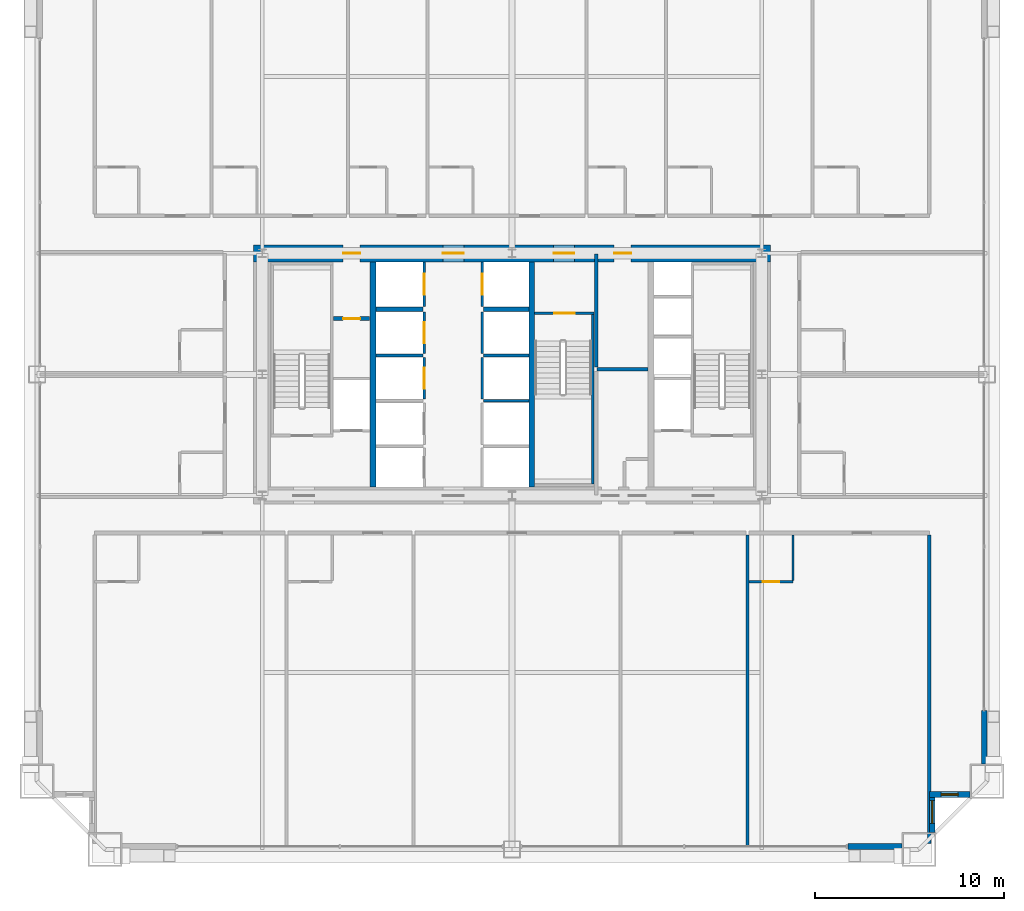
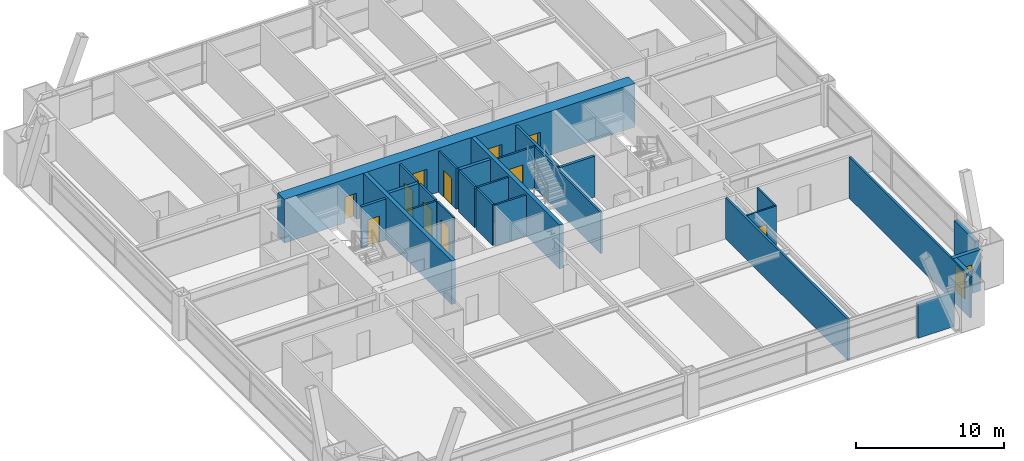
# One storey, part 40 of 43: 27 walls, 11 doors, 2 windows, 13 openings.
"""IFC4 building model written with IfcOpenShell, lengths in metres."""

import ifcopenshell
import ifcopenshell.guid

model = None  # the IFC model being written
_history = None  # IfcOwnerHistory: only IFC2X3 demands one
_inside = {}  # id of a spatial element -> (the spatial element, [elements in it])
_under = {}  # id of a project, library or spatial element -> (it, [spatial elements below it])
_declared = {}  # id of a project -> (the project, [libraries it declares])
_typed = {}  # id of a type object -> (the type object, [elements of that type])
_made_of = {}  # id of a material, layer set ... -> (it, [elements and type objects made of it])


def new_model(schema):
    """Start an empty IFC model of exactly this schema.

    Asked for "IFC4X3", IfcOpenShell would pick the latest addendum, in which some entities
    have other attributes; the version numbers below select the first issue.
    IFC2X3 requires an IfcOwnerHistory on every rooted entity: one is made here for all.
    """
    global model, _history
    if schema == "IFC4X3":
        model = ifcopenshell.file(schema_version=(4, 3, 0, 0))
    else:
        model = ifcopenshell.file(schema=schema)
    _inside.clear()
    _under.clear()
    _declared.clear()
    _typed.clear()
    _made_of.clear()
    _history = None
    if model.schema == "IFC2X3":
        org = make("IfcOrganization", Name="unknown")
        user = make(
            "IfcPersonAndOrganization",
            ThePerson=make("IfcPerson", FamilyName="unknown"),
            TheOrganization=org,
        )
        app = make(
            "IfcApplication",
            ApplicationDeveloper=org,
            Version="unknown",
            ApplicationFullName="unknown",
            ApplicationIdentifier="unknown",
        )
        _history = make(
            "IfcOwnerHistory",
            OwningUser=user,
            OwningApplication=app,
            ChangeAction="ADDED",
            CreationDate=0,
        )
    return model


def make(cls, **values):
    """One entity of the class cls with the attributes given. An attribute that is None is left unset."""
    return model.create_entity(
        cls, **{name: value for name, value in values.items() if value is not None}
    )


def rooted(cls, **values):
    """An entity with a GlobalId (a new one), such as an element, a storey or a relation."""
    return make(cls, GlobalId=ifcopenshell.guid.new(), OwnerHistory=_history, **values)


def si_unit(unit_type, name, prefix=None):
    """IfcSIUnit, for example si_unit("LENGTHUNIT", "METRE", prefix="MILLI")."""
    return make("IfcSIUnit", UnitType=unit_type, Prefix=prefix, Name=name)


def assignment(units):
    """IfcUnitAssignment: the units of a project."""
    return None if units is None else make("IfcUnitAssignment", Units=units)


def point(xyz):
    """IfcCartesianPoint."""
    return None if xyz is None else make("IfcCartesianPoint", Coordinates=xyz)


def direction(xyz):
    """IfcDirection."""
    return None if xyz is None else make("IfcDirection", DirectionRatios=xyz)


def frame(location, z_axis=None, x_axis=None):
    """IfcAxis2Placement3D, a coordinate frame: its origin and axes. An axis left out is left unset."""
    return make(
        "IfcAxis2Placement3D",
        Location=point(location),
        Axis=direction(z_axis),
        RefDirection=direction(x_axis),
    )


def frame_2d(location, x_axis=None):
    """IfcAxis2Placement2D, a coordinate frame in the plane: its origin and x axis."""
    return make(
        "IfcAxis2Placement2D", Location=point(location), RefDirection=direction(x_axis)
    )


def origin():
    """The frame at (0, 0, 0) with its axes left unset."""
    return frame((0.0, 0.0, 0.0))


def place(relative_to, where):
    """IfcLocalPlacement: puts the frame where relative to a parent placement (None: the world)."""
    return make(
        "IfcLocalPlacement", PlacementRelTo=relative_to, RelativePlacement=where
    )


def context(
    kind, dimensions, precision=None, world=None, true_north=None, identifier=None
):
    """IfcGeometricRepresentationContext, for example the 3D "Model" context."""
    return make(
        "IfcGeometricRepresentationContext",
        ContextIdentifier=identifier,
        ContextType=kind,
        CoordinateSpaceDimension=dimensions,
        Precision=precision,
        WorldCoordinateSystem=world,
        TrueNorth=true_north,
    )


def subcontext(parent, identifier, kind, view, scale=None):
    """IfcGeometricRepresentationSubContext, for example "Body" below "Model"."""
    return make(
        "IfcGeometricRepresentationSubContext",
        ContextIdentifier=identifier,
        ContextType=kind,
        ParentContext=parent,
        TargetScale=scale,
        TargetView=view,
    )


def project(units=None, contexts=None):
    """IfcProject with its units and contexts."""
    return rooted(
        "IfcProject",
        Name="project",
        RepresentationContexts=contexts,
        UnitsInContext=assignment(units),
    )


def spatial(cls, under=None, at=None, **own):
    """A site, building, storey or space (cls), placed at a placement, below another one or the project."""
    s = rooted(cls, ObjectPlacement=at, **own)
    if under is not None:
        _under.setdefault(under.id(), (under, []))[1].append(s)
    return s


def profile(cls, at=None, kind="AREA", **sizes):
    """A parametric profile (cls). Its sizes go by their IFC names, for example OverallWidth=200.0."""
    return make(cls, ProfileType=kind, Position=at, **sizes)


def rectangle(**sizes):
    """IfcRectangleProfileDef."""
    return profile("IfcRectangleProfileDef", **sizes)


def extrude(swept, where, along, depth):
    """IfcExtrudedAreaSolid: the profile swept, set in the frame where, extruded along a direction by depth."""
    return make(
        "IfcExtrudedAreaSolid",
        SweptArea=swept,
        Position=where,
        ExtrudedDirection=direction(along),
        Depth=depth,
    )


def shape(context_of_items, identifier, shape_type, items):
    """IfcShapeRepresentation: the items that make up one representation, for example the "Body"."""
    return make(
        "IfcShapeRepresentation",
        ContextOfItems=context_of_items,
        RepresentationIdentifier=identifier,
        RepresentationType=shape_type,
        Items=items,
    )


def source(mapping_origin, context_of_items, identifier, shape_type, items):
    """IfcRepresentationMap: a shape defined once, which mapped items show again and again."""
    return make(
        "IfcRepresentationMap",
        MappingOrigin=mapping_origin,
        MappedRepresentation=shape(context_of_items, identifier, shape_type, items),
    )


def transform(
    local_origin,
    x_axis=None,
    y_axis=None,
    z_axis=None,
    scale=None,
    scale2=None,
    scale3=None,
    uniform=True,
):
    """IfcCartesianTransformationOperator3D, or its non-uniform kind. x_axis, y_axis, z_axis: its Axis1, 2, 3."""
    if uniform:
        return make(
            "IfcCartesianTransformationOperator3D",
            Axis1=direction(x_axis),
            Axis2=direction(y_axis),
            LocalOrigin=point(local_origin),
            Scale=scale,
            Axis3=direction(z_axis),
        )
    return make(
        "IfcCartesianTransformationOperator3DnonUniform",
        Axis1=direction(x_axis),
        Axis2=direction(y_axis),
        LocalOrigin=point(local_origin),
        Scale=scale,
        Axis3=direction(z_axis),
        Scale2=scale2,
        Scale3=scale3,
    )


def mapped(mapping_source, mapping_target):
    """IfcMappedItem: shows the shape of a source again, moved by a transform."""
    return make(
        "IfcMappedItem", MappingSource=mapping_source, MappingTarget=mapping_target
    )


def material(Name=None, Category=None):
    """IfcMaterial."""
    return make("IfcMaterial", Name=Name, Category=Category)


def layer(
    of_material, thickness, ventilated=None, Name=None, Category=None, Priority=None
):
    """IfcMaterialLayer: one layer of a wall or slab, of a material (None: an air gap)."""
    return make(
        "IfcMaterialLayer",
        Material=of_material,
        LayerThickness=thickness,
        IsVentilated=ventilated,
        Name=Name,
        Category=Category,
        Priority=Priority,
    )


def layer_set(layers, Name=None):
    """IfcMaterialLayerSet."""
    return make("IfcMaterialLayerSet", MaterialLayers=layers, LayerSetName=Name)


def made_of(thing, what):
    """Note that an element or type object is made of a material, layer set ...; save() writes the relation."""
    if what is not None:
        _made_of.setdefault(what.id(), (what, []))[1].append(thing)
    return thing


def type_object(cls, material=None, **own):
    """A type object (cls), such as IfcWallType, which elements share."""
    return made_of(rooted(cls, **own), material)


def element(
    cls,
    number,
    at=None,
    inside=None,
    cuts=None,
    type_object=None,
    material=None,
    context=None,
    identifier="Body",
    shape_type=None,
    held_by="IfcProductDefinitionShape",
    body=None,
    shapes=None,
    **own,
):
    """One element of the class cls, such as IfcWall. Its Tag is "e" and its number.

    at: its placement. inside: the storey or other place that contains it. cuts: it is an
    opening in that element (IfcRelVoidsElement). A single representation is given by context,
    identifier, shape_type and body (its items); several are given by shapes. held_by: the class
    of the entity that holds the representations. save() writes the other relations.
    """
    e = rooted(cls, Tag="e%d" % number, ObjectPlacement=at, **own)
    if body is not None:
        shapes = [shape(context, identifier, shape_type, body)]
    if shapes is not None:
        e.Representation = make(held_by, Representations=shapes)
    if inside is not None:
        _inside.setdefault(inside.id(), (inside, []))[1].append(e)
    if cuts is not None:
        rooted(
            "IfcRelVoidsElement", RelatingBuildingElement=cuts, RelatedOpeningElement=e
        )
    if type_object is not None:
        _typed.setdefault(type_object.id(), (type_object, []))[1].append(e)
    return made_of(e, material)


def fill(opening, filler):
    """IfcRelFillsElement: the door or window that sits in an opening."""
    return rooted(
        "IfcRelFillsElement",
        RelatingOpeningElement=opening,
        RelatedBuildingElement=filler,
    )


def aggregate(whole, parts):
    """IfcRelAggregates: a whole, such as a stair, and the parts it consists of."""
    return rooted("IfcRelAggregates", RelatingObject=whole, RelatedObjects=parts)


def save(model, path):
    """Write the relations noted so far, then the file.

    IfcRelAggregates (storeys below a building ...), IfcRelContainedInSpatialStructure (elements
    in a storey), IfcRelDefinesByType, IfcRelAssociatesMaterial and IfcRelDeclares: one each for
    every whole, place, type object, material and project.
    """
    for whole, parts in _under.values():
        aggregate(whole, parts)
    for where, things in _inside.values():
        rooted(
            "IfcRelContainedInSpatialStructure",
            RelatedElements=things,
            RelatingStructure=where,
        )
    for kind, things in _typed.values():
        rooted("IfcRelDefinesByType", RelatedObjects=things, RelatingType=kind)
    for what, things in _made_of.values():
        rooted("IfcRelAssociatesMaterial", RelatedObjects=things, RelatingMaterial=what)
    for by, libraries in _declared.values():
        rooted("IfcRelDeclares", RelatingContext=by, RelatedDefinitions=libraries)
    model.write(path)


model = new_model("IFC4")

# Units and contexts
model_context = context("Model", 3, precision=1e-05, world=origin(), true_north=direction((0.0, 1.0)))
body_context = subcontext(model_context, "Body", "Model", "MODEL_VIEW")
ifc_project = project(units=[si_unit("LENGTHUNIT", "METRE"), si_unit("AREAUNIT", "SQUARE_METRE"), si_unit("VOLUMEUNIT", "CUBIC_METRE"), si_unit("PLANEANGLEUNIT", "RADIAN"), si_unit("MASSUNIT", "GRAM", prefix="KILO"), si_unit("THERMODYNAMICTEMPERATUREUNIT", "KELVIN"), si_unit("POWERUNIT", "WATT")], contexts=[model_context])

# Site, building, storey
site_placement = place(None, origin())
site = spatial("IfcSite", under=ifc_project, at=site_placement, CompositionType="ELEMENT")
building_placement = place(site_placement, origin())
building = spatial("IfcBuilding", under=site, at=building_placement, Name="Yuzanri Waterfront Tower", CompositionType="ELEMENT")
storey_placement = place(building_placement, frame((0.0, 0.0, 46.0)))
storey = spatial("IfcBuildingStorey", under=building, at=storey_placement, Name="L11", CompositionType="ELEMENT", Elevation=46.0)

# Wall, opening, door
ifc_material_1 = material(Name="Moisture-Resistant Gypsum Stud Wall", Category="gypsum")
ifc_layer_1 = layer(ifc_material_1, 0.1201171875)
ifc_layer_set_1 = layer_set([ifc_layer_1], Name="Moisture-Resistant Gypsum Stud Wall")
wall_type_1 = type_object("IfcWallType", Name="Bathroom and Kitchen Wet Partition 120", PredefinedType="PARTITIONING", material=ifc_layer_set_1)
wall_1_placement = place(storey_placement, frame((49.52197265625, 14.840087890625, 0.0), z_axis=(0.0, 0.0, 1.0), x_axis=(1.0, 0.0, 0.0)))
wall_1 = element("IfcWall", 1, at=wall_1_placement, inside=storey, type_object=wall_type_1, Name="L11 Partition UW-L11-S5-BS", PredefinedType="PARTITIONING", context=body_context, shape_type="SweptSolid", body=[
    extrude(rectangle(XDim=2.330078125, YDim=0.1201171875, at=frame_2d((1.1650390625, 0.0))), origin(), (0.0, 0.0, 1.0), 3.3798828125),
])
opening_1_placement = place(wall_1_placement, frame((0.739990234375, 0.0, 0.0)))
opening_1 = element("IfcOpeningElement", 2, at=opening_1_placement, cuts=wall_1, Name="Opening ID-0850", PredefinedType="OPENING", context=body_context, shape_type="SweptSolid", body=[
    extrude(rectangle(XDim=0.85009765625, YDim=2.10009765625, at=frame_2d((0.425048828125, 1.050048828125))), frame((0.0, 0.074951171875, 0.0), z_axis=(0.0, -1.0, 0.0), x_axis=(1.0, 0.0, 0.0)), (0.0, 0.0, 1.0), 0.14990234375),
])
ifc_material_2 = material(Name="Moisture-Resistant Lacquered Timber", Category="wood")
door_type_1 = type_object("IfcDoorType", Name="En-Suite Bathroom and Kitchen Swing Door 850x2100", OperationType="NOTDEFINED", PredefinedType="DOOR", material=ifc_material_2)
shared_shape_1 = source(origin(), body_context, "Body", "SweptSolid", [
    extrude(rectangle(XDim=0.85009765625, YDim=2.10009765625, at=frame_2d((0.425048828125, 1.050048828125))), frame((0.0, 0.02490234375, 0.0), z_axis=(0.0, -1.0, 0.0), x_axis=(1.0, 0.0, 0.0)), (0.0, 0.0, 1.0), 0.050048828125),
])
door_1_placement = place(opening_1_placement, origin())
door_1 = element("IfcDoor", 3, at=door_1_placement, inside=storey, type_object=door_type_1, Name="L11 Guest En-Suite Door", OperationType="SINGLE_SWING_LEFT", OverallHeight=2.10009765625, OverallWidth=0.85009765625, PredefinedType="DOOR", context=body_context, shape_type="MappedRepresentation", body=[
    mapped(shared_shape_1, transform((0.0, 0.0, 0.0), scale=1.0)),
])
fill(opening_1, door_1)

# Wall, opening, window
ifc_material_3 = material(Name="Honed Chongqing Dark Basalt Stone", Category="masonry")
ifc_layer_2 = layer(ifc_material_3, 0.300048828125)
ifc_layer_set_2 = layer_set([ifc_layer_2], Name="Honed Chongqing Dark Basalt Stone")
wall_type_2 = type_object("IfcWallType", Name="Bronze Rainscreen Insulated Spandrel Portal Wall 300", PredefinedType="SOLIDWALL", material=ifc_layer_set_2)
wall_2_placement = place(storey_placement, frame((59.050048828125, 3.60009765625, 0.0), z_axis=(0.0, 0.0, 1.0), x_axis=(1.0, 0.0, 0.0)))
wall_2 = element("IfcWall", 4, at=wall_2_placement, inside=storey, type_object=wall_type_2, Name="L11 Notched Corner Masonry Wall SE-X", PredefinedType="SOLIDWALL", context=body_context, shape_type="SweptSolid", body=[
    extrude(rectangle(XDim=2.14990234375, YDim=0.300048828125, at=frame_2d((1.074951171875, 0.0))), origin(), (0.0, 0.0, 1.0), 3.3798828125),
])
opening_2_placement = place(wall_2_placement, frame((0.625, 0.0, 0.85009765625)))
opening_2 = element("IfcOpeningElement", 5, at=opening_2_placement, cuts=wall_2, Name="Opening WN-05", PredefinedType="OPENING", context=body_context, shape_type="SweptSolid", body=[
    extrude(rectangle(XDim=0.89990234375, YDim=1.5, at=frame_2d((0.449951171875, 0.75))), frame((0.0, 0.1650390625, 0.0), z_axis=(0.0, -1.0, 0.0), x_axis=(1.0, 0.0, 0.0)), (0.0, 0.0, 1.0), 0.329833984375),
])
ifc_material_4 = material(Name="Double-Silver Low-E Insulated Glass", Category="glass")
window_type_1 = type_object("IfcWindowType", Name="Anodized Bronze Service and Stairwell Smoke-Vent Window 900x1500", PartitioningType="SINGLE_PANEL", PredefinedType="WINDOW", material=ifc_material_4)
shared_shape_2 = source(origin(), body_context, "Body", "SweptSolid", [
    extrude(rectangle(XDim=0.89990234375, YDim=1.5, at=frame_2d((0.449951171875, 0.75))), frame((0.0, 0.030029296875, 0.0), z_axis=(0.0, -1.0, 0.0), x_axis=(1.0, 0.0, 0.0)), (0.0, 0.0, 1.0), 0.06005859375),
])
window_1_placement = place(opening_2_placement, origin())
window_1 = element("IfcWindow", 6, at=window_1_placement, inside=storey, type_object=window_type_1, Name="L11 Notched Corner Window SE-X", OverallHeight=1.5, OverallWidth=0.89990234375, PartitioningType="SINGLE_PANEL", PredefinedType="WINDOW", context=body_context, shape_type="MappedRepresentation", body=[
    mapped(shared_shape_2, transform((0.0, 0.0, 0.0), scale=1.0)),
])
fill(opening_2, window_1)

wall_3_placement = place(storey_placement, frame((59.199951171875, 1.60009765625, 0.0), z_axis=(0.0, 0.0, 1.0), x_axis=(0.0, 1.0, 0.0)))
wall_3 = element("IfcWall", 7, at=wall_3_placement, inside=storey, type_object=wall_type_2, Name="L11 Notched Corner Masonry Wall SE-Y", PredefinedType="SOLIDWALL", context=body_context, shape_type="SweptSolid", body=[
    extrude(rectangle(XDim=2.14990234375, YDim=0.300048828125, at=frame_2d((1.074951171875, 0.0))), origin(), (0.0, 0.0, 1.0), 3.3798828125),
])
opening_3_placement = place(wall_3_placement, frame((0.47509765625, 0.0, 0.85009765625)))
opening_3 = element("IfcOpeningElement", 8, at=opening_3_placement, cuts=wall_3, Name="Opening WN-02", PredefinedType="OPENING", context=body_context, shape_type="SweptSolid", body=[
    extrude(rectangle(XDim=1.199951171875, YDim=2.10009765625, at=frame_2d((0.60009765625, 1.050048828125))), frame((0.0, 0.1650390625, 0.0), z_axis=(0.0, -1.0, 0.0), x_axis=(1.0, 0.0, 0.0)), (0.0, 0.0, 1.0), 0.329833984375),
])
ifc_material_5 = material(Name="Double-Silver Low-E Insulated Glass", Category="glass")
window_type_2 = type_object("IfcWindowType", Name="Anodized Bronze Notched Corner Deep-Set Slot Window 1200x2100", PartitioningType="SINGLE_PANEL", PredefinedType="WINDOW", material=ifc_material_5)
shared_shape_3 = source(origin(), body_context, "Body", "SweptSolid", [
    extrude(rectangle(XDim=1.199951171875, YDim=2.10009765625, at=frame_2d((0.60009765625, 1.050048828125))), frame((0.0, 0.030029296875, 0.0), z_axis=(0.0, -1.0, 0.0), x_axis=(1.0, 0.0, 0.0)), (0.0, 0.0, 1.0), 0.06005859375),
])
window_2_placement = place(opening_3_placement, origin())
window_2 = element("IfcWindow", 9, at=window_2_placement, inside=storey, type_object=window_type_2, Name="L11 Notched Corner Window SE-Y", OverallHeight=2.10009765625, OverallWidth=1.199951171875, PartitioningType="SINGLE_PANEL", PredefinedType="WINDOW", context=body_context, shape_type="MappedRepresentation", body=[
    mapped(shared_shape_3, transform((0.0, 0.0, 0.0), scale=1.0)),
])
fill(opening_3, window_2)

# Wall, openings, doors
ifc_material_6 = material(Name="Concrete C60", Category="concrete")
ifc_layer_3 = layer(ifc_material_6, 0.89990234375)
ifc_layer_set_3 = layer_set([ifc_layer_3], Name="Concrete C60")
wall_type_3 = type_object("IfcWallType", Name="Concrete C60 Lower Zone Core Shear Wall 900", PredefinedType="SHEAR", material=ifc_layer_set_3)
wall_4_placement = place(storey_placement, frame((23.35009765625, 32.199951171875, 0.0), z_axis=(0.0, 0.0, 1.0), x_axis=(1.0, 0.0, 0.0)))
wall_4 = element("IfcWall", 10, at=wall_4_placement, inside=storey, type_object=wall_type_3, Name="L11 Core North Shear Wall", PredefinedType="SHEAR", context=body_context, shape_type="SweptSolid", body=[
    extrude(rectangle(XDim=27.2998046875, YDim=0.89990234375, at=frame_2d((13.64990234375, 0.0))), origin(), (0.0, 0.0, 1.0), 3.60009765625),
])
opening_4_placement = place(wall_4_placement, frame((4.719970703125, 0.0, 0.0)))
opening_4 = element("IfcOpeningElement", 11, at=opening_4_placement, cuts=wall_4, Name="Opening FD-0900", PredefinedType="OPENING", context=body_context, shape_type="SweptSolid", body=[
    extrude(rectangle(XDim=0.89990234375, YDim=2.14990234375, at=frame_2d((0.449951171875, 1.074951171875))), frame((0.0, 0.46484375, 0.0), z_axis=(0.0, -1.0, 0.0), x_axis=(1.0, 0.0, 0.0)), (0.0, 0.0, 1.0), 0.9296875),
])
opening_5_placement = place(wall_4_placement, frame((10.0, 0.0, 0.0)))
opening_5 = element("IfcOpeningElement", 12, at=opening_5_placement, cuts=wall_4, Name="Opening FD-1100", PredefinedType="OPENING", context=body_context, shape_type="SweptSolid", body=[
    extrude(rectangle(XDim=1.10009765625, YDim=2.199951171875, at=frame_2d((0.550048828125, 1.10009765625))), frame((0.0, 0.46484375, 0.0), z_axis=(0.0, -1.0, 0.0), x_axis=(1.0, 0.0, 0.0)), (0.0, 0.0, 1.0), 0.9296875),
])
opening_6_placement = place(wall_4_placement, frame((15.85009765625, 0.0, 0.0)))
opening_6 = element("IfcOpeningElement", 13, at=opening_6_placement, cuts=wall_4, Name="Opening FD-1100", PredefinedType="OPENING", context=body_context, shape_type="SweptSolid", body=[
    extrude(rectangle(XDim=1.10009765625, YDim=2.199951171875, at=frame_2d((0.550048828125, 1.10009765625))), frame((0.0, 0.46484375, 0.0), z_axis=(0.0, -1.0, 0.0), x_axis=(1.0, 0.0, 0.0)), (0.0, 0.0, 1.0), 0.9296875),
])
opening_7_placement = place(wall_4_placement, frame((19.050048828125, 0.0, 0.0)))
opening_7 = element("IfcOpeningElement", 14, at=opening_7_placement, cuts=wall_4, Name="Opening FD-0900", PredefinedType="OPENING", context=body_context, shape_type="SweptSolid", body=[
    extrude(rectangle(XDim=0.89990234375, YDim=2.14990234375, at=frame_2d((0.449951171875, 1.074951171875))), frame((0.0, 0.46484375, 0.0), z_axis=(0.0, -1.0, 0.0), x_axis=(1.0, 0.0, 0.0)), (0.0, 0.0, 1.0), 0.9296875),
])
ifc_material_7 = material(Name="Painted Galvanized Fire Steel", Category="steel")
door_type_2 = type_object("IfcDoorType", Name="Smoke-Proof Stair and Lobby Fire Door 1100x2200", OperationType="NOTDEFINED", PredefinedType="DOOR", material=ifc_material_7)
shared_shape_4 = source(origin(), body_context, "Body", "SweptSolid", [
    extrude(rectangle(XDim=1.10009765625, YDim=2.199951171875, at=frame_2d((0.550048828125, 1.10009765625))), frame((0.0, 0.02490234375, 0.0), z_axis=(0.0, -1.0, 0.0), x_axis=(1.0, 0.0, 0.0)), (0.0, 0.0, 1.0), 0.050048828125),
])
door_2_placement = place(opening_5_placement, origin())
door_2 = element("IfcDoor", 15, at=door_2_placement, inside=storey, type_object=door_type_2, Name="L11 Central Lift Lobby North Door", OperationType="SINGLE_SWING_RIGHT", OverallHeight=2.199951171875, OverallWidth=1.10009765625, PredefinedType="DOOR", context=body_context, shape_type="MappedRepresentation", body=[
    mapped(shared_shape_4, transform((0.0, 0.0, 0.0), scale=1.0)),
])
fill(opening_5, door_2)
door_3_placement = place(opening_6_placement, origin())
door_3 = element("IfcDoor", 16, at=door_3_placement, inside=storey, type_object=door_type_2, Name="L11 North Stair Lobby Door", OperationType="SINGLE_SWING_LEFT", OverallHeight=2.199951171875, OverallWidth=1.10009765625, PredefinedType="DOOR", context=body_context, shape_type="MappedRepresentation", body=[
    mapped(shared_shape_4, transform((0.0, 0.0, 0.0), scale=1.0)),
])
fill(opening_6, door_3)
ifc_material_8 = material(Name="Painted Galvanized Fire Steel", Category="steel")
door_type_3 = type_object("IfcDoorType", Name="Riser and Service Room Fire Door 900x2150", OperationType="NOTDEFINED", PredefinedType="DOOR", material=ifc_material_8)
shared_shape_5 = source(origin(), body_context, "Body", "SweptSolid", [
    extrude(rectangle(XDim=0.89990234375, YDim=2.14990234375, at=frame_2d((0.449951171875, 1.074951171875))), frame((0.0, 0.02490234375, 0.0), z_axis=(0.0, -1.0, 0.0), x_axis=(1.0, 0.0, 0.0)), (0.0, 0.0, 1.0), 0.050048828125),
])
door_4_placement = place(opening_4_placement, origin())
door_4 = element("IfcDoor", 17, at=door_4_placement, inside=storey, type_object=door_type_3, Name="L11 Telecom Riser Door", OperationType="SINGLE_SWING_LEFT", OverallHeight=2.14990234375, OverallWidth=0.89990234375, PredefinedType="DOOR", context=body_context, shape_type="MappedRepresentation", body=[
    mapped(shared_shape_5, transform((0.0, 0.0, 0.0), scale=1.0)),
])
fill(opening_4, door_4)
door_5_placement = place(opening_7_placement, origin())
door_5 = element("IfcDoor", 18, at=door_5_placement, inside=storey, type_object=door_type_3, Name="L11 Housekeeping Room", OperationType="SINGLE_SWING_LEFT", OverallHeight=2.14990234375, OverallWidth=0.89990234375, PredefinedType="DOOR", context=body_context, shape_type="MappedRepresentation", body=[
    mapped(shared_shape_5, transform((0.0, 0.0, 0.0), scale=1.0)),
])
fill(opening_7, door_5)

# Wall, opening, door
ifc_material_9 = material(Name="Concrete C40", Category="concrete")
ifc_layer_4 = layer(ifc_material_9, 0.139892578125)
ifc_layer_set_4 = layer_set([ifc_layer_4], Name="Concrete C40")
wall_type_4 = type_object("IfcWallType", Name="Core Stair Liner and Hoistway Shaft Wall 140", PredefinedType="SOLIDWALL", material=ifc_layer_set_4)
wall_5_placement = place(storey_placement, frame((32.3701171875, 24.5, 0.0), z_axis=(0.0, 0.0, 1.0), x_axis=(0.0, 1.0, 0.0)))
wall_5 = element("IfcWall", 19, at=wall_5_placement, inside=storey, type_object=wall_type_4, Name="L11 Lift PL-03 Front Shaft Wall", PredefinedType="SOLIDWALL", context=body_context, shape_type="SweptSolid", body=[
    extrude(rectangle(XDim=2.199951171875, YDim=0.139892578125, at=frame_2d((1.10009765625, 0.0))), origin(), (0.0, 0.0, 1.0), 3.3798828125),
])
opening_8_placement = place(wall_5_placement, frame((0.550048828125, 0.0, 0.0)))
opening_8 = element("IfcOpeningElement", 20, at=opening_8_placement, cuts=wall_5, Name="Opening LD-PL-03", PredefinedType="OPENING", context=body_context, shape_type="SweptSolid", body=[
    extrude(rectangle(XDim=1.10009765625, YDim=2.199951171875, at=frame_2d((0.550048828125, 1.10009765625))), frame((0.0, 0.0849609375, 0.0), z_axis=(0.0, -1.0, 0.0), x_axis=(1.0, 0.0, 0.0)), (0.0, 0.0, 1.0), 0.169677734375),
])
ifc_material_10 = material(Name="Brushed Bronze and Stainless Steel Cab", Category="steel")
door_type_4 = type_object("IfcDoorType", Name="Center-Parting Bronze Lift Landing Sliding Door 1100x2200", OperationType="NOTDEFINED", PredefinedType="DOOR", material=ifc_material_10)
shared_shape_6 = source(origin(), body_context, "Body", "SweptSolid", [
    extrude(rectangle(XDim=1.10009765625, YDim=2.199951171875, at=frame_2d((0.550048828125, 1.10009765625))), frame((0.0, 0.02490234375, 0.0), z_axis=(0.0, -1.0, 0.0), x_axis=(1.0, 0.0, 0.0)), (0.0, 0.0, 1.0), 0.050048828125),
])
door_6_placement = place(opening_8_placement, origin())
door_6 = element("IfcDoor", 21, at=door_6_placement, inside=storey, type_object=door_type_4, Name="L11 PL-03 Lift Landing Sliding Door", OperationType="SLIDING_TO_LEFT", OverallHeight=2.199951171875, OverallWidth=1.10009765625, PredefinedType="DOOR", context=body_context, shape_type="MappedRepresentation", body=[
    mapped(shared_shape_6, transform((0.0, 0.0, 0.0), scale=1.0)),
])
fill(opening_8, door_6)

wall_6_placement = place(storey_placement, frame((32.3701171875, 26.89990234375, 0.0), z_axis=(0.0, 0.0, 1.0), x_axis=(0.0, 1.0, 0.0)))
wall_6 = element("IfcWall", 22, at=wall_6_placement, inside=storey, type_object=wall_type_4, Name="L11 Lift PL-04 Front Shaft Wall", PredefinedType="SOLIDWALL", context=body_context, shape_type="SweptSolid", body=[
    extrude(rectangle(XDim=2.2001953125, YDim=0.139892578125, at=frame_2d((1.10009765625, 0.0))), origin(), (0.0, 0.0, 1.0), 3.3798828125),
])
opening_9_placement = place(wall_6_placement, frame((0.550048828125, 0.0, 0.0)))
opening_9 = element("IfcOpeningElement", 23, at=opening_9_placement, cuts=wall_6, Name="Opening LD-PL-04", PredefinedType="OPENING", context=body_context, shape_type="SweptSolid", body=[
    extrude(rectangle(XDim=1.10009765625, YDim=2.199951171875, at=frame_2d((0.550048828125, 1.10009765625))), frame((0.0, 0.0849609375, 0.0), z_axis=(0.0, -1.0, 0.0), x_axis=(1.0, 0.0, 0.0)), (0.0, 0.0, 1.0), 0.169677734375),
])
door_7_placement = place(opening_9_placement, origin())
door_7 = element("IfcDoor", 24, at=door_7_placement, inside=storey, type_object=door_type_4, Name="L11 PL-04 Lift Landing Sliding Door", OperationType="SLIDING_TO_RIGHT", OverallHeight=2.199951171875, OverallWidth=1.10009765625, PredefinedType="DOOR", context=body_context, shape_type="MappedRepresentation", body=[
    mapped(shared_shape_6, transform((0.0, 0.0, 0.0), scale=1.0)),
])
fill(opening_9, door_7)

wall_7_placement = place(storey_placement, frame((32.3701171875, 29.39990234375, 0.0), z_axis=(0.0, 0.0, 1.0), x_axis=(0.0, 1.0, 0.0)))
wall_7 = element("IfcWall", 25, at=wall_7_placement, inside=storey, type_object=wall_type_4, Name="L11 Lift SL-01 Front Shaft Wall", PredefinedType="SOLIDWALL", context=body_context, shape_type="SweptSolid", body=[
    extrude(rectangle(XDim=2.340087890625, YDim=0.139892578125, at=frame_2d((1.169921875, 0.0))), origin(), (0.0, 0.0, 1.0), 3.3798828125),
])
opening_10_placement = place(wall_7_placement, frame((0.6201171875, 0.0, 0.0)))
opening_10 = element("IfcOpeningElement", 26, at=opening_10_placement, cuts=wall_7, Name="Opening LD-SL-01", PredefinedType="OPENING", context=body_context, shape_type="SweptSolid", body=[
    extrude(rectangle(XDim=1.10009765625, YDim=2.199951171875, at=frame_2d((0.550048828125, 1.10009765625))), frame((0.0, 0.0849609375, 0.0), z_axis=(0.0, -1.0, 0.0), x_axis=(1.0, 0.0, 0.0)), (0.0, 0.0, 1.0), 0.169677734375),
])
door_8_placement = place(opening_10_placement, origin())
door_8 = element("IfcDoor", 27, at=door_8_placement, inside=storey, type_object=door_type_4, Name="L11 SL-01 Lift Landing Sliding Door", OperationType="SLIDING_TO_LEFT", OverallHeight=2.199951171875, OverallWidth=1.10009765625, PredefinedType="DOOR", context=body_context, shape_type="MappedRepresentation", body=[
    mapped(shared_shape_6, transform((0.0, 0.0, 0.0), scale=1.0)),
])
fill(opening_10, door_8)

wall_8_placement = place(storey_placement, frame((35.429931640625, 29.39990234375, 0.0), z_axis=(0.0, 0.0, 1.0), x_axis=(0.0, 1.0, 0.0)))
wall_8 = element("IfcWall", 28, at=wall_8_placement, inside=storey, type_object=wall_type_4, Name="L11 Lift SL-02 Front Shaft Wall", PredefinedType="SOLIDWALL", context=body_context, shape_type="SweptSolid", body=[
    extrude(rectangle(XDim=2.340087890625, YDim=0.139892578125, at=frame_2d((1.169921875, 0.0))), origin(), (0.0, 0.0, 1.0), 3.3798828125),
])
opening_11_placement = place(wall_8_placement, frame((0.6201171875, 0.0, 0.0)))
opening_11 = element("IfcOpeningElement", 29, at=opening_11_placement, cuts=wall_8, Name="Opening LD-SL-02", PredefinedType="OPENING", context=body_context, shape_type="SweptSolid", body=[
    extrude(rectangle(XDim=1.10009765625, YDim=2.199951171875, at=frame_2d((0.550048828125, 1.10009765625))), frame((0.0, 0.0849609375, 0.0), z_axis=(0.0, -1.0, 0.0), x_axis=(1.0, 0.0, 0.0)), (0.0, 0.0, 1.0), 0.169677734375),
])
door_9_placement = place(opening_11_placement, origin())
door_9 = element("IfcDoor", 30, at=door_9_placement, inside=storey, type_object=door_type_4, Name="L11 SL-02 Lift Landing Sliding Door", OperationType="SLIDING_TO_RIGHT", OverallHeight=2.199951171875, OverallWidth=1.10009765625, PredefinedType="DOOR", context=body_context, shape_type="MappedRepresentation", body=[
    mapped(shared_shape_6, transform((0.0, 0.0, 0.0), scale=1.0)),
])
fill(opening_11, door_9)

wall_9_placement = place(storey_placement, frame((38.199951171875, 29.030029296875, 0.0), z_axis=(0.0, 0.0, 1.0), x_axis=(1.0, 0.0, 0.0)))
wall_9 = element("IfcWall", 31, at=wall_9_placement, inside=storey, type_object=wall_type_4, Name="L11 Shaft Wall STW-L11-ST-03-N", PredefinedType="SOLIDWALL", context=body_context, shape_type="SweptSolid", body=[
    extrude(rectangle(XDim=3.14013671875, YDim=0.139892578125, at=frame_2d((1.570068359375, 0.0))), origin(), (0.0, 0.0, 1.0), 3.3798828125),
])
opening_12_placement = place(wall_9_placement, frame((1.02001953125, 0.0, 0.0)))
opening_12 = element("IfcOpeningElement", 32, at=opening_12_placement, cuts=wall_9, Name="Opening FD-1100", PredefinedType="OPENING", context=body_context, shape_type="SweptSolid", body=[
    extrude(rectangle(XDim=1.10009765625, YDim=2.199951171875, at=frame_2d((0.550048828125, 1.10009765625))), frame((0.0, 0.0849609375, 0.0), z_axis=(0.0, -1.0, 0.0), x_axis=(1.0, 0.0, 0.0)), (0.0, 0.0, 1.0), 0.169677734375),
])
door_10_placement = place(opening_12_placement, origin())
door_10 = element("IfcDoor", 33, at=door_10_placement, inside=storey, type_object=door_type_2, Name="L11 Stair ST-03 Fire Door", OperationType="SINGLE_SWING_LEFT", OverallHeight=2.199951171875, OverallWidth=1.10009765625, PredefinedType="DOOR", context=body_context, shape_type="MappedRepresentation", body=[
    mapped(shared_shape_4, transform((0.0, 0.0, 0.0), scale=1.0)),
])
fill(opening_12, door_10)

ifc_material_11 = material(Name="Autoclaved Aerated Concrete Blockwork", Category="masonry")
ifc_layer_5 = layer(ifc_material_11, 0.199951171875)
ifc_layer_set_5 = layer_set([ifc_layer_5], Name="Autoclaved Aerated Concrete Blockwork")
wall_type_5 = type_object("IfcWallType", Name="Corridor and Unit Party Fire Wall 200", PredefinedType="PARTITIONING", material=ifc_layer_set_5)
wall_10_placement = place(storey_placement, frame((27.56005859375, 28.75, 0.0), z_axis=(0.0, 0.0, 1.0), x_axis=(1.0, 0.0, 0.0)))
wall_10 = element("IfcWall", 34, at=wall_10_placement, inside=storey, type_object=wall_type_5, Name="L11 Partition CRW-L11-ERTR", PredefinedType="PARTITIONING", context=body_context, shape_type="SweptSolid", body=[
    extrude(rectangle(XDim=1.919921875, YDim=0.199951171875, at=frame_2d((0.9599609375, 0.0))), origin(), (0.0, 0.0, 1.0), 3.3798828125),
])
opening_13_placement = place(wall_10_placement, frame((0.510009765625, 0.0, 0.0)))
opening_13 = element("IfcOpeningElement", 35, at=opening_13_placement, cuts=wall_10, Name="Opening FD-0900", PredefinedType="OPENING", context=body_context, shape_type="SweptSolid", body=[
    extrude(rectangle(XDim=0.89990234375, YDim=2.14990234375, at=frame_2d((0.449951171875, 1.074951171875))), frame((0.0, 0.11474609375, 0.0), z_axis=(0.0, -1.0, 0.0), x_axis=(1.0, 0.0, 0.0)), (0.0, 0.0, 1.0), 0.229736328125),
])
door_11_placement = place(opening_13_placement, origin())
door_11 = element("IfcDoor", 36, at=door_11_placement, inside=storey, type_object=door_type_3, Name="L11 Electrical Riser Door", OperationType="SINGLE_SWING_RIGHT", OverallHeight=2.14990234375, OverallWidth=0.89990234375, PredefinedType="DOOR", context=body_context, shape_type="MappedRepresentation", body=[
    mapped(shared_shape_5, transform((0.0, 0.0, 0.0), scale=1.0)),
])
fill(opening_13, door_11)

# Walls
ifc_material_12 = material(Name="Concrete C50", Category="concrete")
ifc_layer_6 = layer(ifc_material_12, 0.300048828125)
ifc_layer_set_6 = layer_set([ifc_layer_6], Name="Concrete C50")
wall_type_6 = type_object("IfcWallType", Name="Concrete C50 Internal Core Shaft Structural Wall 300", PredefinedType="SOLIDWALL", material=ifc_layer_set_6)
shared_shape_7 = source(origin(), body_context, "Body", "SweptSolid", [
    extrude(rectangle(XDim=11.89990234375, YDim=0.300048828125, at=frame_2d((5.949951171875, 0.0))), origin(), (0.0, 0.0, 1.0), 3.60009765625),
])
for number, where, z_axis, x_axis, name in (
    (37, (29.64990234375, 19.85009765625, 0.0), (0.0, 0.0, 1.0), (0.0, 1.0, 0.0), "L11 Core Internal Structural Web Wall 1"),
    (38, (38.050048828125, 19.85009765625, 0.0), (0.0, 0.0, 1.0), (0.0, 1.0, 0.0), "L11 Core Internal Structural Web Wall 2"),
):
    element("IfcWall", number, at=place(storey_placement, frame(where, z_axis=z_axis, x_axis=x_axis)), inside=storey, type_object=wall_type_6, Name=name, PredefinedType="SOLIDWALL", context=body_context, shape_type="MappedRepresentation", body=[
        mapped(shared_shape_7, transform((0.0, 0.0, 0.0), scale=1.0)),
    ])
shared_shape_8 = source(origin(), body_context, "Body", "SweptSolid", [
    extrude(rectangle(XDim=2.85009765625, YDim=0.300048828125, at=frame_2d((1.425048828125, 0.0))), origin(), (0.0, 0.0, 1.0), 2.77490234375),
])
for number, where, z_axis, x_axis, name in (
    (39, (54.75, 0.85009765625, 0.0), (0.0, 0.0, 1.0), (1.0, 0.0, 0.0), "L11 S Right Braced Masonry Shoulder"),
    (40, (61.949951171875, 5.199951171875, 0.0), (0.0, 0.0, 1.0), (0.0, 1.0, 0.0), "L11 E Left Braced Masonry Shoulder"),
):
    element("IfcWall", number, at=place(storey_placement, frame(where, z_axis=z_axis, x_axis=x_axis)), inside=storey, type_object=wall_type_2, Name=name, PredefinedType="SOLIDWALL", context=body_context, shape_type="MappedRepresentation", body=[
        mapped(shared_shape_8, transform((0.0, 0.0, 0.0), scale=1.0)),
    ])
shared_shape_9 = source(origin(), body_context, "Body", "SweptSolid", [
    extrude(rectangle(XDim=2.5, YDim=0.139892578125, at=frame_2d((1.25, 0.0))), origin(), (0.0, 0.0, 1.0), 3.3798828125),
])
wall_11_placement = place(storey_placement, frame((29.800048828125, 26.800048828125, 0.0), z_axis=(0.0, 0.0, 1.0), x_axis=(1.0, 0.0, 0.0)))
element("IfcWall", 41, at=wall_11_placement, inside=storey, type_object=wall_type_4, Name="L11 Lift PL-03 Divider Wall", PredefinedType="SOLIDWALL", context=body_context, shape_type="MappedRepresentation", body=[
    mapped(shared_shape_9, transform((0.0, 0.0, 0.0), scale=1.0)),
])
ifc_material_13 = material(Name="Concrete C40", Category="concrete")
ifc_layer_7 = layer(ifc_material_13, 0.25)
ifc_layer_set_7 = layer_set([ifc_layer_7], Name="Concrete C40")
wall_type_7 = type_object("IfcWallType", Name="Smoke-Proof Stair and Lift Shaft Wall 250", PredefinedType="SOLIDWALL", material=ifc_layer_set_7)
shared_shape_10 = source(origin(), body_context, "Body", "SweptSolid", [
    extrude(rectangle(XDim=2.5, YDim=0.25, at=frame_2d((1.25, 0.0))), origin(), (0.0, 0.0, 1.0), 3.3798828125),
])
wall_12_placement = place(storey_placement, frame((29.800048828125, 29.25, 0.0), z_axis=(0.0, 0.0, 1.0), x_axis=(1.0, 0.0, 0.0)))
element("IfcWall", 42, at=wall_12_placement, inside=storey, type_object=wall_type_7, Name="L11 Lift SL-01 South Shaft Wall", PredefinedType="SOLIDWALL", context=body_context, shape_type="MappedRepresentation", body=[
    mapped(shared_shape_10, transform((0.0, 0.0, 0.0), scale=1.0)),
])
shared_shape_11 = source(origin(), body_context, "Body", "SweptSolid", [
    extrude(rectangle(XDim=2.39990234375, YDim=0.139892578125, at=frame_2d((1.199951171875, 0.0))), origin(), (0.0, 0.0, 1.0), 3.3798828125),
])
for number, where, z_axis, x_axis, name in (
    (43, (35.5, 24.39990234375, 0.0), (0.0, 0.0, 1.0), (1.0, 0.0, 0.0), "L11 Lift PL-06 Divider Wall"),
    (44, (35.5, 26.800048828125, 0.0), (0.0, 0.0, 1.0), (1.0, 0.0, 0.0), "L11 Lift PL-07 Divider Wall"),
):
    element("IfcWall", number, at=place(storey_placement, frame(where, z_axis=z_axis, x_axis=x_axis)), inside=storey, type_object=wall_type_4, Name=name, PredefinedType="SOLIDWALL", context=body_context, shape_type="MappedRepresentation", body=[
        mapped(shared_shape_11, transform((0.0, 0.0, 0.0), scale=1.0)),
    ])
shared_shape_12 = source(origin(), body_context, "Body", "SweptSolid", [
    extrude(rectangle(XDim=2.199951171875, YDim=0.139892578125, at=frame_2d((1.10009765625, 0.0))), origin(), (0.0, 0.0, 1.0), 3.3798828125),
])
wall_13_placement = place(storey_placement, frame((35.429931640625, 24.5, 0.0), z_axis=(0.0, 0.0, 1.0), x_axis=(0.0, 1.0, 0.0)))
element("IfcWall", 45, at=wall_13_placement, inside=storey, type_object=wall_type_4, Name="L11 Lift PL-07 Front Shaft Wall", PredefinedType="SOLIDWALL", context=body_context, shape_type="MappedRepresentation", body=[
    mapped(shared_shape_12, transform((0.0, 0.0, 0.0), scale=1.0)),
])
shared_shape_13 = source(origin(), body_context, "Body", "SweptSolid", [
    extrude(rectangle(XDim=2.2001953125, YDim=0.139892578125, at=frame_2d((1.10009765625, 0.0))), origin(), (0.0, 0.0, 1.0), 3.3798828125),
])
wall_14_placement = place(storey_placement, frame((35.429931640625, 26.89990234375, 0.0), z_axis=(0.0, 0.0, 1.0), x_axis=(0.0, 1.0, 0.0)))
element("IfcWall", 46, at=wall_14_placement, inside=storey, type_object=wall_type_4, Name="L11 Lift PL-08 Front Shaft Wall", PredefinedType="SOLIDWALL", context=body_context, shape_type="MappedRepresentation", body=[
    mapped(shared_shape_13, transform((0.0, 0.0, 0.0), scale=1.0)),
])
shared_shape_14 = source(origin(), body_context, "Body", "SweptSolid", [
    extrude(rectangle(XDim=2.39990234375, YDim=0.25, at=frame_2d((1.199951171875, 0.0))), origin(), (0.0, 0.0, 1.0), 3.3798828125),
])
wall_15_placement = place(storey_placement, frame((35.5, 29.25, 0.0), z_axis=(0.0, 0.0, 1.0), x_axis=(1.0, 0.0, 0.0)))
element("IfcWall", 47, at=wall_15_placement, inside=storey, type_object=wall_type_7, Name="L11 Lift SL-02 South Shaft Wall", PredefinedType="SOLIDWALL", context=body_context, shape_type="MappedRepresentation", body=[
    mapped(shared_shape_14, transform((0.0, 0.0, 0.0), scale=1.0)),
])
shared_shape_15 = source(origin(), body_context, "Body", "SweptSolid", [
    extrude(rectangle(XDim=8.93994140625, YDim=0.139892578125, at=frame_2d((4.469970703125, 0.0))), origin(), (0.0, 0.0, 1.0), 3.3798828125),
])
wall_16_placement = place(storey_placement, frame((41.27001953125, 20.02001953125, 0.0), z_axis=(0.0, 0.0, 1.0), x_axis=(0.0, 1.0, 0.0)))
element("IfcWall", 48, at=wall_16_placement, inside=storey, type_object=wall_type_4, Name="L11 Stair ST-03 East Shaft Wall", PredefinedType="SOLIDWALL", context=body_context, shape_type="MappedRepresentation", body=[
    mapped(shared_shape_15, transform((0.0, 0.0, 0.0), scale=1.0)),
])
ifc_material_14 = material(Name="Gypsum Fireboard Acoustic Stud Wall", Category="gypsum")
ifc_layer_8 = layer(ifc_material_14, 0.159912109375)
ifc_layer_set_8 = layer_set([ifc_layer_8], Name="Gypsum Fireboard Acoustic Stud Wall")
wall_type_8 = type_object("IfcWallType", Name="Acoustic Suite Demising Partition 160", PredefinedType="PARTITIONING", material=ifc_layer_set_8)
shared_shape_16 = source(origin(), body_context, "Body", "SweptSolid", [
    extrude(rectangle(XDim=16.469970703125, YDim=0.159912109375, at=frame_2d((8.23486328125, 0.0))), origin(), (0.0, 0.0, 1.0), 3.3798828125),
])
wall_17_placement = place(storey_placement, frame((49.44189453125, 0.85009765625, 0.0), z_axis=(0.0, 0.0, 1.0), x_axis=(0.0, 1.0, 0.0)))
element("IfcWall", 49, at=wall_17_placement, inside=storey, type_object=wall_type_8, Name="L11-S4 Party Wall", PredefinedType="PARTITIONING", context=body_context, shape_type="MappedRepresentation", body=[
    mapped(shared_shape_16, transform((0.0, 0.0, 0.0), scale=1.0)),
])
shared_shape_17 = source(origin(), body_context, "Body", "SweptSolid", [
    extrude(rectangle(XDim=2.420166015625, YDim=0.1201171875, at=frame_2d((1.2099609375, 0.0))), origin(), (0.0, 0.0, 1.0), 3.3798828125),
])
wall_18_placement = place(storey_placement, frame((51.85205078125, 14.89990234375, 0.0), z_axis=(0.0, 0.0, 1.0), x_axis=(0.0, 1.0, 0.0)))
element("IfcWall", 50, at=wall_18_placement, inside=storey, type_object=wall_type_1, Name="L11-S5 En-Suite Side Wall", PredefinedType="PARTITIONING", context=body_context, shape_type="MappedRepresentation", body=[
    mapped(shared_shape_17, transform((0.0, 0.0, 0.0), scale=1.0)),
])
shared_shape_18 = source(origin(), body_context, "Body", "SweptSolid", [
    extrude(rectangle(XDim=16.320068359375, YDim=0.159912109375, at=frame_2d((8.16015625, 0.0))), origin(), (0.0, 0.0, 1.0), 3.3798828125),
])
wall_19_placement = place(storey_placement, frame((59.050048828125, 1.0, 0.0), z_axis=(0.0, 0.0, 1.0), x_axis=(0.0, 1.0, 0.0)))
element("IfcWall", 51, at=wall_19_placement, inside=storey, type_object=wall_type_8, Name="L11 South Band East End Wall", PredefinedType="PARTITIONING", context=body_context, shape_type="MappedRepresentation", body=[
    mapped(shared_shape_18, transform((0.0, 0.0, 0.0), scale=1.0)),
])
shared_shape_19 = source(origin(), body_context, "Body", "SweptSolid", [
    extrude(rectangle(XDim=2.699951171875, YDim=0.199951171875, at=frame_2d((1.35009765625, 0.0))), origin(), (0.0, 0.0, 1.0), 3.3798828125),
])
wall_20_placement = place(storey_placement, frame((41.5, 26.070068359375, 0.0), z_axis=(0.0, 0.0, 1.0), x_axis=(1.0, 0.0, 0.0)))
element("IfcWall", 52, at=wall_20_placement, inside=storey, type_object=wall_type_5, Name="L11 Core BOH Split Wall 1", PredefinedType="PARTITIONING", context=body_context, shape_type="MappedRepresentation", body=[
    mapped(shared_shape_19, transform((0.0, 0.0, 0.0), scale=1.0)),
])
shared_shape_20 = source(origin(), body_context, "Body", "SweptSolid", [
    extrude(rectangle(XDim=5.9599609375, YDim=0.199951171875, at=frame_2d((2.97998046875, 0.0))), origin(), (0.0, 0.0, 1.0), 3.3798828125),
])
wall_21_placement = place(storey_placement, frame((41.449951171875, 26.199951171875, 0.0), z_axis=(0.0, 0.0, 1.0), x_axis=(0.0, 1.0, 0.0)))
element("IfcWall", 53, at=wall_21_placement, inside=storey, type_object=wall_type_5, Name="L11 Core BOH West Wall 2", PredefinedType="PARTITIONING", context=body_context, shape_type="MappedRepresentation", body=[
    mapped(shared_shape_20, transform((0.0, 0.0, 0.0), scale=1.0)),
])

save(model, "model.ifc")
